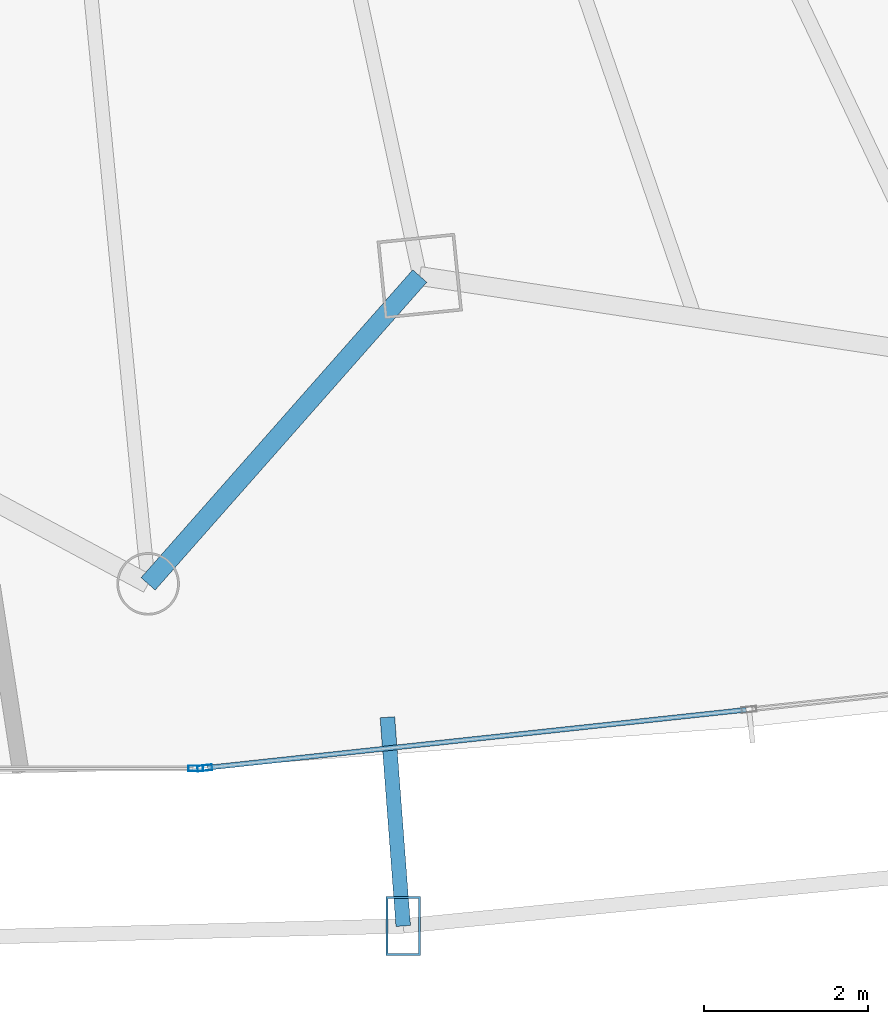
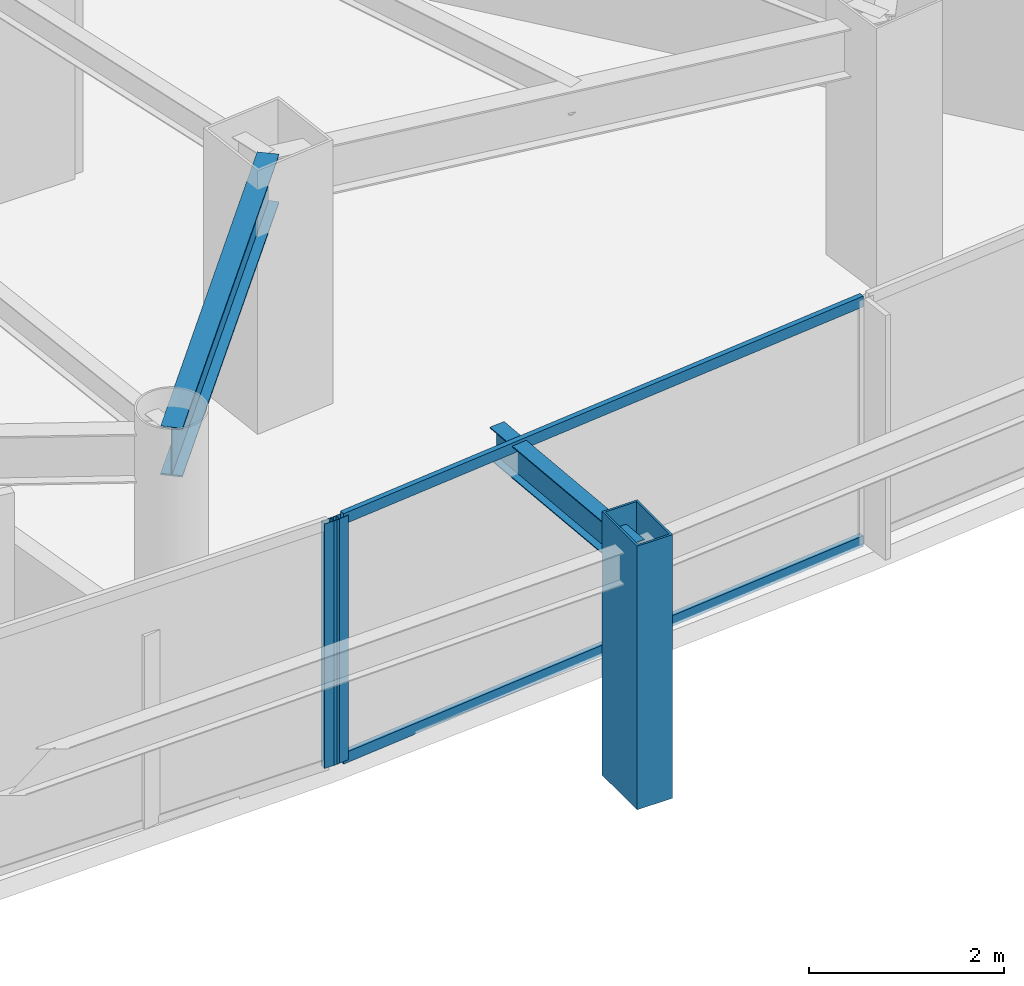
# One storey, part 12 of 35: 5 members, 2 beams, 2 elements without a shape of their own.
"""IFC4 building model written with IfcOpenShell, lengths in metres."""

from ifc_helpers import new_model, si_unit, direction, frame, origin, origin_2d, place, context, subcontext, project, spatial, hollow_rectangle, i_section, extrude, material, layer, layer_set, material_profile, profile_set, type_object, element, aggregate, save


model = new_model("IFC4")

# Units and contexts
model_context = context("Model", 3, precision=1e-05, world=origin(), true_north=direction((0.0, 1.0)))
body_context = subcontext(model_context, "Body", "Model", "MODEL_VIEW")
ifc_project = project(units=[si_unit("LENGTHUNIT", "METRE"), si_unit("AREAUNIT", "SQUARE_METRE"), si_unit("VOLUMEUNIT", "CUBIC_METRE"), si_unit("PLANEANGLEUNIT", "RADIAN"), si_unit("MASSUNIT", "GRAM", prefix="KILO")], contexts=[model_context])

# Site, building, storey
site_placement = place(None, origin())
site = spatial("IfcSite", under=ifc_project, at=site_placement, CompositionType="ELEMENT")
building_placement = place(site_placement, origin())
building = spatial("IfcBuilding", under=site, at=building_placement, Name="Orvanel Arch Residences", CompositionType="ELEMENT")
storey_placement = place(building_placement, frame((0.0, 0.0, 33.5)))
storey = spatial("IfcBuildingStorey", under=building, at=storey_placement, Name="L08", CompositionType="ELEMENT", Elevation=33.5)

# Member
ifc_material_1 = material(Name="Structural steel AS/NZS 3678 Grade 350", Category="steel")
ifc_material_profile_1 = material_profile(ifc_material_1, hollow_rectangle(XDim=0.419921875, YDim=0.719970703125, WallThickness=0.02490234375, at=origin_2d()), Name="RHS720x420x25")
ifc_profile_set_1 = profile_set([ifc_material_profile_1], Name="Structural steel AS/NZS 3678 Grade 350")
member_type_1 = type_object("IfcMemberType", Name="CH-720RHS-EXT", PredefinedType="CHORD", material=ifc_profile_set_1)
member_1_placement = place(storey_placement, frame((42.14990234375, -0.56298828125, 0.0), z_axis=(0.0, 0.0, 1.0), x_axis=(1.0, 0.0, 0.0)))
element("IfcMember", 1, at=member_1_placement, inside=storey, type_object=member_type_1, Name="L08 Outer Perimeter Frame Post 07", PredefinedType="CHORD", context=body_context, shape_type="SweptSolid", body=[
    extrude(hollow_rectangle(XDim=0.419921875, YDim=0.719970703125, WallThickness=0.02490234375, at=origin_2d()), origin(), (0.0, 0.0, 1.0), 3.300048828125),
])

# Curtain wall, member
ifc_material_2 = material(Name="Bronze-anodised aluminium AA6063-T6", Category="aluminium")
ifc_layer = layer(ifc_material_2, 0.179931640625)
ifc_layer_set = layer_set([ifc_layer], Name="Bronze-anodised aluminium AA6063-T6")
curtain_wall_type = type_object("IfcCurtainWallType", Name="CW2-LOW-SYS", PredefinedType="NOTDEFINED", material=ifc_layer_set)
curtain_wall_1_placement = place(storey_placement, origin())
curtain_wall_1 = element("IfcCurtainWall", 2, at=curtain_wall_1_placement, inside=storey, type_object=curtain_wall_type, Name="L08 CW2-LOW-SYS Unitised Curtain Wall", PredefinedType="NOTDEFINED")
ifc_material_profile_2 = material_profile(ifc_material_2, hollow_rectangle(XDim=0.070068359375, YDim=0.179931640625, WallThickness=0.00439453125, at=origin_2d()), Name="ALU180x70x4.5")
ifc_profile_set_2 = profile_set([ifc_material_profile_2], Name="Bronze-anodised aluminium AA6063-T6")
member_type_2 = type_object("IfcMemberType", Name="MUL-180x70", PredefinedType="MULLION", material=ifc_profile_set_2)
member_2_placement = place(storey_placement, frame((39.623046875, 1.35595703125, 0.0), z_axis=(0.0, 0.0, 1.0), x_axis=(0.0, 1.0, 0.0)))
member_2 = element("IfcMember", 3, at=member_2_placement, type_object=member_type_2, Name="CW-S2 mullion 3", PredefinedType="MULLION", context=body_context, shape_type="SweptSolid", body=[
    extrude(hollow_rectangle(XDim=0.070068359375, YDim=0.179931640625, WallThickness=0.00439453125, at=origin_2d()), origin(), (0.0, 0.0, 1.0), 3.06005859375),
])
aggregate(curtain_wall_1, [member_2])

curtain_wall_2_placement = place(storey_placement, origin())
curtain_wall_2 = element("IfcCurtainWall", 4, at=curtain_wall_2_placement, inside=storey, type_object=curtain_wall_type, Name="L08 CW2-LOW-SYS Unitised Curtain Wall", PredefinedType="NOTDEFINED")
member_3_placement = place(storey_placement, frame((39.73291015625, 1.36181640625, 0.0), z_axis=(0.0, 0.0, 1.0), x_axis=(-0.106921178668, 0.994267499998, 0.0)))
member_3 = element("IfcMember", 5, at=member_3_placement, type_object=member_type_2, Name="CW-S2 mullion 1", PredefinedType="MULLION", context=body_context, shape_type="SweptSolid", body=[
    extrude(hollow_rectangle(XDim=0.070068359375, YDim=0.179931640625, WallThickness=0.00439453125, at=origin_2d()), origin(), (0.0, 0.0, 1.0), 3.06005859375),
])

# Beams
ifc_material_3 = material(Name="Structural steel AS/NZS 3679.1 Grade 300 (300 MPa)", Category="steel")
ifc_material_profile_3 = material_profile(ifc_material_3, i_section(OverallWidth=0.177978515625, OverallDepth=0.406005859375, WebThickness=0.0078125, FlangeThickness=0.0126953125, at=origin_2d()), Name="410UB59.7")
ifc_profile_set_3 = profile_set([ifc_material_profile_3], Name="Structural steel AS/NZS 3679.1 Grade 300 (300 MPa)")
beam_type_1 = type_object("IfcBeamType", Name="OB-410UB-EXT", PredefinedType="SPANDREL", material=ifc_profile_set_3)
beam_1_placement = place(storey_placement, frame((41.95703125, 1.97998046875, 2.85693359375), z_axis=(0.07562764418, -0.997136128839, 0.0), x_axis=(0.997136128839, 0.07562764418, 0.0)))
element("IfcBeam", 6, at=beam_1_placement, inside=storey, type_object=beam_type_1, Name="L08 Outer Frame Radial Tie Beam 07", PredefinedType="SPANDREL", context=body_context, shape_type="SweptSolid", body=[
    extrude(i_section(OverallWidth=0.177978515625, OverallDepth=0.406005859375, WebThickness=0.0078125, FlangeThickness=0.0126953125, at=origin_2d()), origin(), (0.0, 0.0, 1.0), 2.55029296875),
])
ifc_material_profile_4 = material_profile(ifc_material_3, i_section(OverallWidth=0.22900390625, OverallDepth=0.612060546875, WebThickness=0.011962890625, FlangeThickness=0.01953125, at=origin_2d()), Name="610UB125")
ifc_profile_set_4 = profile_set([ifc_material_profile_4], Name="Structural steel AS/NZS 3679.1 Grade 300 (300 MPa)")
beam_type_2 = type_object("IfcBeamType", Name="SP-610UB", PredefinedType="SPANDREL", material=ifc_profile_set_4)
beam_2_placement = place(storey_placement, frame((39.0419921875, 3.60498046875, 2.75390625), z_axis=(0.661650698195, 0.749812212209, 0.0), x_axis=(-0.749812212209, 0.661650698195, 0.0)))
element("IfcBeam", 7, at=beam_2_placement, inside=storey, type_object=beam_type_2, Name="L08 Perimeter Spandrel Beam 08", PredefinedType="SPANDREL", context=body_context, shape_type="SweptSolid", body=[
    extrude(i_section(OverallWidth=0.22900390625, OverallDepth=0.612060546875, WebThickness=0.011962890625, FlangeThickness=0.01953125, at=origin_2d()), origin(), (0.0, 0.0, 1.0), 5.001220703125),
])

# Member
ifc_material_profile_5 = material_profile(ifc_material_2, hollow_rectangle(XDim=0.06005859375, YDim=0.135009765625, WallThickness=0.00390625, at=origin_2d()), Name="ALU135x60x4")
ifc_profile_set_5 = profile_set([ifc_material_profile_5], Name="Bronze-anodised aluminium AA6063-T6")
member_type_3 = type_object("IfcMemberType", Name="TRN-135x60", PredefinedType="USERDEFINED", material=ifc_profile_set_5)
member_4_placement = place(storey_placement, frame((39.767578125, 1.365478515625, 0.030029296875), z_axis=(0.994265675943, 0.106938139318, 0.0), x_axis=(-0.106938139318, 0.994265675943, 0.0)))
member_4 = element("IfcMember", 8, at=member_4_placement, type_object=member_type_3, Name="CW-S2 transom 1.1", ObjectType="TRANSOM", PredefinedType="USERDEFINED", context=body_context, shape_type="SweptSolid", body=[
    extrude(hollow_rectangle(XDim=0.06005859375, YDim=0.135009765625, WallThickness=0.00390625, at=origin_2d()), origin(), (0.0, 0.0, 1.0), 6.597900390625),
])

member_5_placement = place(storey_placement, frame((39.767578125, 1.365478515625, 3.030029296875), z_axis=(0.994265675943, 0.106938139318, 0.0), x_axis=(-0.106938139318, 0.994265675943, 0.0)))
member_5 = element("IfcMember", 9, at=member_5_placement, type_object=member_type_3, Name="CW-S2 transom 1.2", ObjectType="TRANSOM", PredefinedType="USERDEFINED", context=body_context, shape_type="SweptSolid", body=[
    extrude(hollow_rectangle(XDim=0.06005859375, YDim=0.135009765625, WallThickness=0.00390625, at=origin_2d()), origin(), (0.0, 0.0, 1.0), 6.597900390625),
])

aggregate(curtain_wall_2, [member_3, member_4, member_5])

save(model, "model.ifc")
